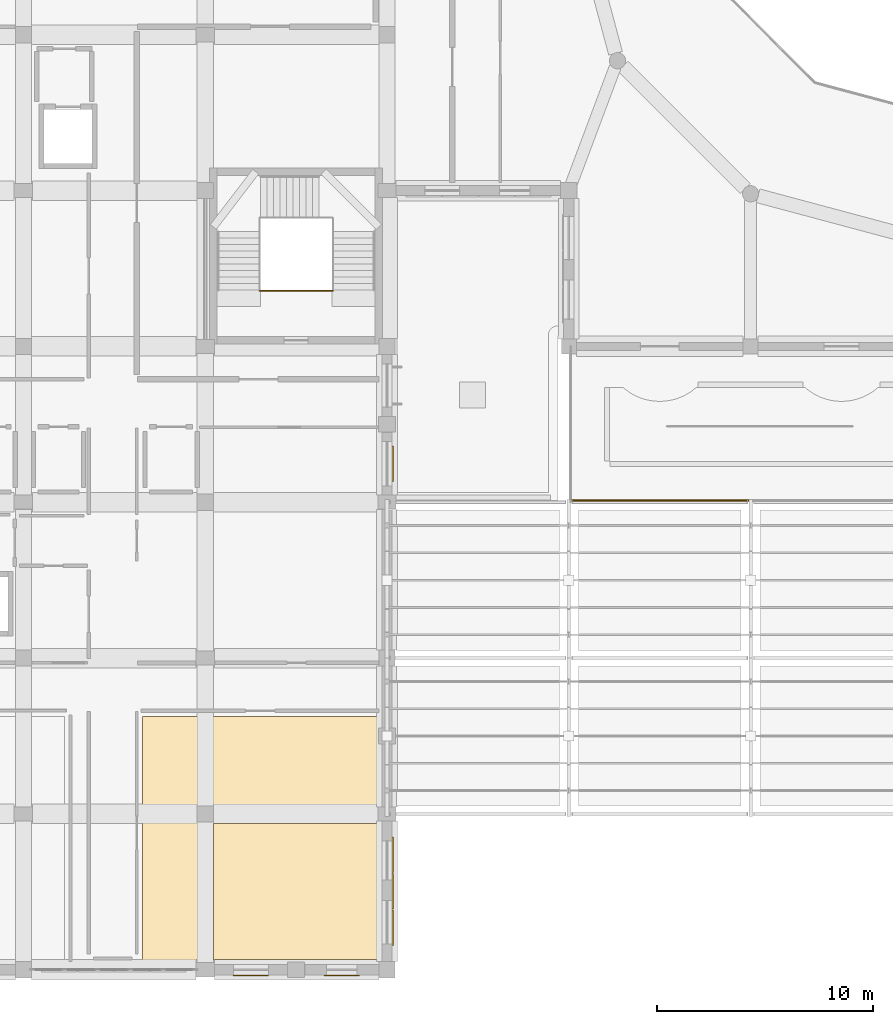
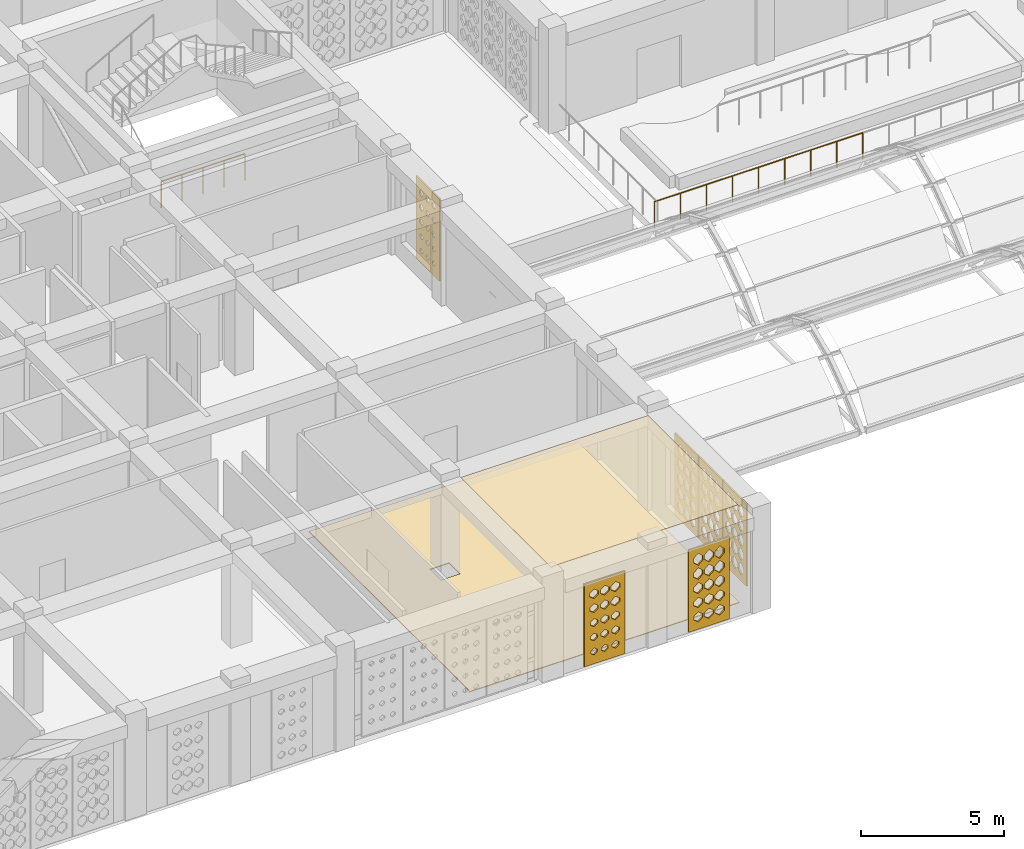
# One storey, part 71 of 100: 8 coverings, 2 railings.
"""IFC4 building model written with IfcOpenShell, lengths in metres."""

from ifc_helpers import new_model, si_unit, derived_unit, direction, frame, origin, origin_2d, place, context, subcontext, project, spatial, polyline, circle, outline, extrude, material, layer, layer_set, type_object, element, save


model = new_model("IFC4")

# Units and contexts
model_context = context("Model", 3, precision=1e-05, world=origin(), true_north=direction((0.0, 1.0)))
body_context = subcontext(model_context, "Body", "Model", "MODEL_VIEW")
ifc_project = project(units=[si_unit("LENGTHUNIT", "METRE"), si_unit("AREAUNIT", "SQUARE_METRE"), si_unit("VOLUMEUNIT", "CUBIC_METRE"), si_unit("PLANEANGLEUNIT", "RADIAN"), si_unit("MASSUNIT", "GRAM", prefix="KILO"), derived_unit("THERMALTRANSMITTANCEUNIT", [(si_unit("POWERUNIT", "WATT"), 1), (si_unit("LENGTHUNIT", "METRE"), -2), (si_unit("THERMODYNAMICTEMPERATUREUNIT", "KELVIN"), -1)])], contexts=[model_context])

# Site, building, storey
site_placement = place(None, origin())
site = spatial("IfcSite", under=ifc_project, at=site_placement, CompositionType="ELEMENT")
building_placement = place(site_placement, origin())
building = spatial("IfcBuilding", under=site, at=building_placement, Name="Veybourne Emporium", CompositionType="ELEMENT")
storey_placement = place(building_placement, frame((0.0, 0.0, 14.39990234375)))
storey = spatial("IfcBuildingStorey", under=building, at=storey_placement, Name="L03", CompositionType="ELEMENT", Elevation=14.39990234375)

# Coverings
ifc_material_1 = material(Name="Mineral Acoustic Ceiling", Category="gypsum")
ifc_layer_1 = layer(ifc_material_1, 0.02490234375)
ifc_layer_set_1 = layer_set([ifc_layer_1], Name="Mineral Acoustic Ceiling")
covering_type_1 = type_object("IfcCoveringType", Name="Ceiling_CLG-01", PredefinedType="CEILING", material=ifc_layer_set_1)
covering_1_placement = place(storey_placement, frame((0.0, 0.0, 4.155029296875)))
element("IfcCovering", 1, at=covering_1_placement, inside=storey, type_object=covering_type_1, Name="L03 coffered acoustic ceiling 02", PredefinedType="CEILING", context=body_context, shape_type="SweptSolid", body=[
    extrude(outline(polyline([(42.373046875, 0.43994140625), (42.373046875, 6.820068359375), (42.375, 6.820068359375), (42.375, 6.751953125), (49.927001953125, 6.751953125), (49.927001953125, 0.472900390625), (42.425048828125, 0.472900390625), (42.425048828125, 0.43994140625), (42.373046875, 0.43994140625)])), origin(), (0.0, 0.0, 1.0), 0.025146484375),
])
ifc_material_2 = material(Name="European Oak Parquet", Category="wood")
ifc_layer_2 = layer(ifc_material_2, 0.034912109375)
ifc_layer_set_2 = layer_set([ifc_layer_2], Name="European Oak Parquet")
covering_type_2 = type_object("IfcCoveringType", Name="Flooring_FLR-02", PredefinedType="FLOORING", material=ifc_layer_set_2)
covering_2_placement = place(storey_placement, origin())
element("IfcCovering", 2, at=covering_2_placement, inside=storey, type_object=covering_type_2, Name="L03 floor finish 02", PredefinedType="FLOORING", context=body_context, shape_type="SweptSolid", body=[
    extrude(outline(polyline([(39.07861328125, 0.453369140625), (39.086181640625, 0.471435546875), (39.09130859375, 0.486083984375), (39.09716796875, 0.5048828125), (39.100830078125, 0.520263671875), (39.104736328125, 0.53955078125), (39.107177734375, 0.554931640625), (39.10888671875, 0.574462890625), (39.10986328125, 0.590087890625), (39.110107421875, 0.60009765625), (39.110107421875, 11.68994140625), (49.9599609375, 11.68994140625), (49.9599609375, 0.43994140625), (39.072265625, 0.43994140625), (39.07861328125, 0.453369140625)]), holes=[polyline([(42.3798828125, 7.580078125), (41.6201171875, 7.580078125), (41.6201171875, 6.820068359375), (42.3798828125, 6.820068359375), (42.3798828125, 7.580078125)])]), origin(), (0.0, 0.0, 1.0), 0.03515625),
])

# Railings
ifc_material_3 = material(Name="Brushed Stainless Steel", Category="steel")
railing_type_1 = type_object("IfcRailingType", Name="Guard_GR-01", PredefinedType="GUARDRAIL", material=ifc_material_3)
railing_1_placement = place(storey_placement, frame((44.510009765625, 31.360107421875, 0.0)))
element("IfcRailing", 3, at=railing_1_placement, inside=storey, type_object=railing_type_1, Name="L03 ST-05 stair guard 4", PredefinedType="GUARDRAIL", context=body_context, shape_type="SweptSolid", body=[
    extrude(circle(Radius=0.02392578125, at=origin_2d()), frame((0.0, 0.0, 1.1259765625), z_axis=(1.0, 0.0, 0.0), x_axis=(0.0, 1.0, 0.0)), (0.0, 0.0, 1.0), 3.3798828125),
    extrude(circle(Radius=0.02099609375, at=origin_2d()), origin(), (0.0, 0.0, 1.0), 1.101806640625),
    extrude(circle(Radius=0.02099609375, at=origin_2d()), frame((0.844970703125, 0.0, 0.0)), (0.0, 0.0, 1.0), 1.101806640625),
    extrude(circle(Radius=0.02099609375, at=origin_2d()), frame((1.68994140625, 0.0, 0.0)), (0.0, 0.0, 1.0), 1.101806640625),
    extrude(circle(Radius=0.02099609375, at=origin_2d()), frame((2.534912109375, 0.0, 0.0)), (0.0, 0.0, 1.0), 1.101806640625),
    extrude(circle(Radius=0.02099609375, at=origin_2d()), frame((3.3798828125, 0.0, 0.0)), (0.0, 0.0, 1.0), 1.101806640625),
])
ifc_material_4 = material(Name="Patinated Architectural Bronze", Category="bronze")
railing_type_2 = type_object("IfcRailingType", Name="Guard_GR-02", PredefinedType="GUARDRAIL", material=ifc_material_4)
railing_2_placement = place(storey_placement, frame((67.199951171875, 21.679931640625, 0.0)))
element("IfcRailing", 4, at=railing_2_placement, inside=storey, type_object=railing_type_2, Name="L03 terrace perimeter guardrail 001", PredefinedType="GUARDRAIL", context=body_context, shape_type="SweptSolid", body=[
    extrude(circle(Radius=0.02392578125, at=origin_2d()), frame((0.0, 0.0, 1.1259765625), z_axis=(-1.0, 0.0, 0.0), x_axis=(0.0, -1.0, 0.0)), (0.0, 0.0, 1.0), 8.39990234375),
    extrude(circle(Radius=0.02099609375, at=origin_2d()), origin(), (0.0, 0.0, 1.0), 1.101806640625),
    extrude(circle(Radius=0.02099609375, at=origin_2d()), frame((-1.050048828125, 0.0, 0.0)), (0.0, 0.0, 1.0), 1.101806640625),
    extrude(circle(Radius=0.02099609375, at=origin_2d()), frame((-2.10009765625, 0.0, 0.0)), (0.0, 0.0, 1.0), 1.101806640625),
    extrude(circle(Radius=0.02099609375, at=origin_2d()), frame((-3.14990234375, 0.0, 0.0)), (0.0, 0.0, 1.0), 1.101806640625),
    extrude(circle(Radius=0.02099609375, at=origin_2d()), frame((-4.199951171875, 0.0, 0.0)), (0.0, 0.0, 1.0), 1.101806640625),
    extrude(circle(Radius=0.02099609375, at=origin_2d()), frame((-5.25, 0.0, 0.0)), (0.0, 0.0, 1.0), 1.101806640625),
    extrude(circle(Radius=0.02099609375, at=origin_2d()), frame((-6.2998046875, 0.0, 0.0)), (0.0, 0.0, 1.0), 1.101806640625),
    extrude(circle(Radius=0.02099609375, at=origin_2d()), frame((-7.349853515625, 0.0, 0.0)), (0.0, 0.0, 1.0), 1.101806640625),
    extrude(circle(Radius=0.02099609375, at=origin_2d()), frame((-8.39990234375, 0.0, 0.0)), (0.0, 0.0, 1.0), 1.101806640625),
])

# Coverings
ifc_material_5 = material(Name="Warm-White Perforated Aluminium Screen Alloy", Category="aluminium")
ifc_layer_3 = layer(ifc_material_5, 0.06005859375)
ifc_layer_set_3 = layer_set([ifc_layer_3], Name="Warm-White Perforated Aluminium Screen Alloy")
covering_type_3 = type_object("IfcCoveringType", Name="WaveScreen_SCR-01", PredefinedType="CLADDING", material=ifc_layer_set_3)
covering_3_placement = place(storey_placement, frame((50.697998046875, 1.945068359375, 1.815185546875), z_axis=(-1.0, 0.0, 0.0), x_axis=(0.0, -1.0, 0.0)))
element("IfcCovering", 5, at=covering_3_placement, inside=storey, type_object=covering_type_3, Name="L03 wave-perforated aluminium screen SCR-01 (26.3)", PredefinedType="CLADDING", context=body_context, shape_type="SweptSolid", body=[
    extrude(outline(polyline([(-0.81982421875, -1.7548828125), (0.81982421875, -1.7548828125), (0.81982421875, 1.7548828125), (-0.81982421875, 1.7548828125), (-0.81982421875, -1.7548828125)]), holes=[polyline([(-0.433349609375, -0.964111328125), (-0.2470703125, -1.133056640625), (-0.2470703125, -1.322998046875), (-0.433349609375, -1.491943359375), (-0.61962890625, -1.322998046875), (-0.61962890625, -1.133056640625), (-0.433349609375, -0.964111328125)]), polyline([(-0.433349609375, -0.35009765625), (-0.2470703125, -0.51904296875), (-0.2470703125, -0.708984375), (-0.433349609375, -0.8779296875), (-0.61962890625, -0.708984375), (-0.61962890625, -0.51904296875), (-0.433349609375, -0.35009765625)]), polyline([(-0.433349609375, 0.263916015625), (-0.2470703125, 0.094970703125), (-0.2470703125, -0.094970703125), (-0.433349609375, -0.263916015625), (-0.61962890625, -0.094970703125), (-0.61962890625, 0.094970703125), (-0.433349609375, 0.263916015625)]), polyline([(-0.433349609375, 0.8779296875), (-0.2470703125, 0.708984375), (-0.2470703125, 0.51904296875), (-0.433349609375, 0.35009765625), (-0.61962890625, 0.51904296875), (-0.61962890625, 0.708984375), (-0.433349609375, 0.8779296875)]), polyline([(-0.433349609375, 1.491943359375), (-0.2470703125, 1.322998046875), (-0.2470703125, 1.133056640625), (-0.433349609375, 0.964111328125), (-0.61962890625, 1.133056640625), (-0.61962890625, 1.322998046875), (-0.433349609375, 1.491943359375)]), polyline([(0.0, -0.964111328125), (0.186279296875, -1.133056640625), (0.186279296875, -1.322998046875), (0.0, -1.491943359375), (-0.186279296875, -1.322998046875), (-0.186279296875, -1.133056640625), (0.0, -0.964111328125)]), polyline([(0.0, -0.35009765625), (0.186279296875, -0.51904296875), (0.186279296875, -0.708984375), (0.0, -0.8779296875), (-0.186279296875, -0.708984375), (-0.186279296875, -0.51904296875), (0.0, -0.35009765625)]), polyline([(0.0, 0.263916015625), (0.186279296875, 0.094970703125), (0.186279296875, -0.094970703125), (0.0, -0.263916015625), (-0.186279296875, -0.094970703125), (-0.186279296875, 0.094970703125), (0.0, 0.263916015625)]), polyline([(0.0, 0.8779296875), (0.186279296875, 0.708984375), (0.186279296875, 0.51904296875), (0.0, 0.35009765625), (-0.186279296875, 0.51904296875), (-0.186279296875, 0.708984375), (0.0, 0.8779296875)]), polyline([(0.0, 1.491943359375), (0.186279296875, 1.322998046875), (0.186279296875, 1.133056640625), (0.0, 0.964111328125), (-0.186279296875, 1.133056640625), (-0.186279296875, 1.322998046875), (0.0, 1.491943359375)]), polyline([(0.433349609375, -0.965087890625), (0.61962890625, -1.13330078125), (0.61962890625, -1.322509765625), (0.433349609375, -1.490966796875), (0.2470703125, -1.322509765625), (0.2470703125, -1.13330078125), (0.433349609375, -0.965087890625)]), polyline([(0.433349609375, -0.35009765625), (0.61962890625, -0.51904296875), (0.61962890625, -0.708984375), (0.433349609375, -0.8779296875), (0.2470703125, -0.708984375), (0.2470703125, -0.51904296875), (0.433349609375, -0.35009765625)]), polyline([(0.433349609375, 0.263916015625), (0.61962890625, 0.094970703125), (0.61962890625, -0.094970703125), (0.433349609375, -0.263916015625), (0.2470703125, -0.094970703125), (0.2470703125, 0.094970703125), (0.433349609375, 0.263916015625)]), polyline([(0.433349609375, 0.8779296875), (0.61962890625, 0.708984375), (0.61962890625, 0.51904296875), (0.433349609375, 0.35009765625), (0.2470703125, 0.51904296875), (0.2470703125, 0.708984375), (0.433349609375, 0.8779296875)]), polyline([(0.433349609375, 1.491943359375), (0.61962890625, 1.322998046875), (0.61962890625, 1.133056640625), (0.433349609375, 0.964111328125), (0.2470703125, 1.133056640625), (0.2470703125, 1.322998046875), (0.433349609375, 1.491943359375)])]), origin(), (0.0, 0.0, 1.0), 0.06005859375),
])
ifc_layer_4 = layer(ifc_material_5, 0.06005859375)
ifc_layer_set_4 = layer_set([ifc_layer_4], Name="Warm-White Perforated Aluminium Screen Alloy")
covering_type_4 = type_object("IfcCoveringType", Name="WaveScreen_SCR-02", PredefinedType="CLADDING", material=ifc_layer_set_4)
covering_4_placement = place(storey_placement, frame((48.3125, -0.298095703125, 1.815185546875), z_axis=(0.0, 1.0, 0.0), x_axis=(-1.0, 0.0, 0.0)))
element("IfcCovering", 6, at=covering_4_placement, inside=storey, type_object=covering_type_4, Name="L03 wave-perforated aluminium screen SCR-02 (25A.1)", PredefinedType="CLADDING", context=body_context, shape_type="SweptSolid", body=[
    extrude(outline(polyline([(-0.81982421875, -1.7548828125), (0.81982421875, -1.7548828125), (0.81982421875, 1.7548828125), (-0.81982421875, 1.7548828125), (-0.81982421875, -1.7548828125)]), holes=[polyline([(-0.433349609375, -1.006591796875), (-0.2470703125, -1.148193359375), (-0.2470703125, -1.3076171875), (-0.433349609375, -1.44921875), (-0.61962890625, -1.3076171875), (-0.61962890625, -1.148193359375), (-0.433349609375, -1.006591796875)]), polyline([(-0.433349609375, -0.3798828125), (-0.2470703125, -0.52978515625), (-0.2470703125, -0.6982421875), (-0.433349609375, -0.84814453125), (-0.61962890625, -0.6982421875), (-0.61962890625, -0.52978515625), (-0.433349609375, -0.3798828125)]), polyline([(-0.433349609375, 0.24560546875), (-0.2470703125, 0.08837890625), (-0.2470703125, -0.08837890625), (-0.433349609375, -0.24560546875), (-0.61962890625, -0.08837890625), (-0.61962890625, 0.08837890625), (-0.433349609375, 0.24560546875)]), polyline([(-0.433349609375, 0.86962890625), (-0.2470703125, 0.7060546875), (-0.2470703125, 0.52197265625), (-0.433349609375, 0.3583984375), (-0.61962890625, 0.52197265625), (-0.61962890625, 0.7060546875), (-0.433349609375, 0.86962890625)]), polyline([(-0.433349609375, 1.49169921875), (-0.2470703125, 1.322998046875), (-0.2470703125, 1.133056640625), (-0.433349609375, 0.964111328125), (-0.61962890625, 1.133056640625), (-0.61962890625, 1.322998046875), (-0.433349609375, 1.49169921875)]), polyline([(0.0, -1.012939453125), (0.18603515625, -1.150390625), (0.18603515625, -1.305419921875), (0.0, -1.443115234375), (-0.18603515625, -1.305419921875), (-0.18603515625, -1.150390625), (0.0, -1.012939453125)]), polyline([(0.0, -0.385498046875), (0.186279296875, -0.53173828125), (0.186279296875, -0.6962890625), (0.0, -0.84228515625), (-0.186279296875, -0.6962890625), (-0.186279296875, -0.53173828125), (0.0, -0.385498046875)]), polyline([(0.0, 0.240478515625), (0.186279296875, 0.086669921875), (0.186279296875, -0.086669921875), (0.0, -0.240478515625), (-0.186279296875, -0.086669921875), (-0.186279296875, 0.086669921875), (0.0, 0.240478515625)]), polyline([(0.0, 0.865234375), (0.186279296875, 0.70458984375), (0.186279296875, 0.5234375), (0.0, 0.36279296875), (-0.186279296875, 0.5234375), (-0.186279296875, 0.70458984375), (0.0, 0.865234375)]), polyline([(0.0, 1.48828125), (0.186279296875, 1.32177734375), (0.186279296875, 1.13427734375), (0.0, 0.967529296875), (-0.186279296875, 1.13427734375), (-0.186279296875, 1.32177734375), (0.0, 1.48828125)]), polyline([(0.433349609375, -1.01904296875), (0.6142578125, -1.15283203125), (0.6142578125, -1.30322265625), (0.433349609375, -1.43701171875), (0.25244140625, -1.30322265625), (0.25244140625, -1.15283203125), (0.433349609375, -1.01904296875)]), polyline([(0.433349609375, -0.3916015625), (0.61962890625, -0.533935546875), (0.61962890625, -0.694091796875), (0.433349609375, -0.83642578125), (0.2470703125, -0.694091796875), (0.2470703125, -0.533935546875), (0.433349609375, -0.3916015625)]), polyline([(0.433349609375, 0.235107421875), (0.61962890625, 0.084716796875), (0.61962890625, -0.084716796875), (0.433349609375, -0.235107421875), (0.2470703125, -0.084716796875), (0.2470703125, 0.084716796875), (0.433349609375, 0.235107421875)]), polyline([(0.433349609375, 0.860595703125), (0.61962890625, 0.702880859375), (0.61962890625, 0.525146484375), (0.433349609375, 0.367431640625), (0.2470703125, 0.525146484375), (0.2470703125, 0.702880859375), (0.433349609375, 0.860595703125)]), polyline([(0.433349609375, 1.484619140625), (0.61962890625, 1.3203125), (0.61962890625, 1.1357421875), (0.433349609375, 0.971435546875), (0.2470703125, 1.1357421875), (0.2470703125, 1.3203125), (0.433349609375, 1.484619140625)])]), origin(), (0.0, 0.0, 1.0), 0.06005859375),
])
covering_5_placement = place(storey_placement, frame((44.112548828125, -0.298095703125, 1.815185546875), z_axis=(0.0, 1.0, 0.0), x_axis=(-1.0, 0.0, 0.0)))
element("IfcCovering", 7, at=covering_5_placement, inside=storey, type_object=covering_type_4, Name="L03 wave-perforated aluminium screen SCR-02 (25B.1)", PredefinedType="CLADDING", context=body_context, shape_type="SweptSolid", body=[
    extrude(outline(polyline([(-0.81982421875, -1.7548828125), (0.81982421875, -1.7548828125), (0.81982421875, 1.7548828125), (-0.81982421875, 1.7548828125), (-0.81982421875, -1.7548828125)]), holes=[polyline([(-0.433349609375, -1.067626953125), (-0.2919921875, -1.17041015625), (-0.2919921875, -1.28564453125), (-0.433349609375, -1.388427734375), (-0.574462890625, -1.28564453125), (-0.574462890625, -1.17041015625), (-0.433349609375, -1.067626953125)]), polyline([(-0.433349609375, -0.440185546875), (-0.281005859375, -0.551513671875), (-0.281005859375, -0.676513671875), (-0.433349609375, -0.787841796875), (-0.585693359375, -0.676513671875), (-0.585693359375, -0.551513671875), (-0.433349609375, -0.440185546875)]), polyline([(-0.433349609375, 0.18798828125), (-0.26953125, 0.067626953125), (-0.26953125, -0.067626953125), (-0.433349609375, -0.18798828125), (-0.596923828125, -0.067626953125), (-0.596923828125, 0.067626953125), (-0.433349609375, 0.18798828125)]), polyline([(-0.433349609375, 0.81591796875), (-0.258056640625, 0.686767578125), (-0.258056640625, 0.541259765625), (-0.433349609375, 0.412109375), (-0.608642578125, 0.541259765625), (-0.608642578125, 0.686767578125), (-0.433349609375, 0.81591796875)]), polyline([(-0.433349609375, 1.44384765625), (-0.2470703125, 1.3056640625), (-0.2470703125, 1.150390625), (-0.433349609375, 1.01220703125), (-0.61962890625, 1.150390625), (-0.61962890625, 1.3056640625), (-0.433349609375, 1.44384765625)]), polyline([(0.0, -1.073486328125), (0.136474609375, -1.17236328125), (0.136474609375, -1.28369140625), (0.0, -1.382568359375), (-0.136474609375, -1.28369140625), (-0.136474609375, -1.17236328125), (0.0, -1.073486328125)]), polyline([(0.0, -0.4462890625), (0.147216796875, -0.5537109375), (0.147216796875, -0.67431640625), (0.0, -0.781494140625), (-0.147216796875, -0.67431640625), (-0.147216796875, -0.5537109375), (0.0, -0.4462890625)]), polyline([(0.0, 0.181396484375), (0.158447265625, 0.065185546875), (0.158447265625, -0.065185546875), (0.0, -0.181396484375), (-0.158447265625, -0.065185546875), (-0.158447265625, 0.065185546875), (0.0, 0.181396484375)]), polyline([(0.0, 0.8095703125), (0.169921875, 0.684326171875), (0.169921875, 0.543701171875), (0.0, 0.41845703125), (-0.169921875, 0.543701171875), (-0.169921875, 0.684326171875), (0.0, 0.8095703125)]), polyline([(0.0, 1.437744140625), (0.181396484375, 1.303466796875), (0.181396484375, 1.152587890625), (0.0, 1.018310546875), (-0.181396484375, 1.152587890625), (-0.181396484375, 1.303466796875), (0.0, 1.437744140625)]), polyline([(0.433349609375, -1.0791015625), (0.565185546875, -1.17431640625), (0.565185546875, -1.281494140625), (0.433349609375, -1.376953125), (0.301513671875, -1.281494140625), (0.301513671875, -1.17431640625), (0.433349609375, -1.0791015625)]), polyline([(0.433349609375, -0.452392578125), (0.575439453125, -0.555908203125), (0.575439453125, -0.672119140625), (0.433349609375, -0.775634765625), (0.291015625, -0.672119140625), (0.291015625, -0.555908203125), (0.433349609375, -0.452392578125)]), polyline([(0.433349609375, 0.175048828125), (0.586669921875, 0.06298828125), (0.586669921875, -0.06298828125), (0.433349609375, -0.175048828125), (0.280029296875, -0.06298828125), (0.280029296875, 0.06298828125), (0.433349609375, 0.175048828125)]), polyline([(0.433349609375, 0.80322265625), (0.59814453125, 0.68212890625), (0.59814453125, 0.5458984375), (0.433349609375, 0.4248046875), (0.2685546875, 0.5458984375), (0.2685546875, 0.68212890625), (0.433349609375, 0.80322265625)]), polyline([(0.433349609375, 1.431396484375), (0.609619140625, 1.30126953125), (0.609619140625, 1.15478515625), (0.433349609375, 1.024658203125), (0.257080078125, 1.15478515625), (0.257080078125, 1.30126953125), (0.433349609375, 1.431396484375)])]), origin(), (0.0, 0.0, 1.0), 0.06005859375),
])
covering_6_placement = place(storey_placement, frame((50.697998046875, 23.37744140625, 1.815185546875), z_axis=(-1.0, 0.0, 0.0), x_axis=(0.0, -1.0, 0.0)))
element("IfcCovering", 8, at=covering_6_placement, inside=storey, type_object=covering_type_4, Name="L03 wave-perforated aluminium screen SCR-02 (29B.1)", PredefinedType="CLADDING", context=body_context, shape_type="SweptSolid", body=[
    extrude(outline(polyline([(-0.81982421875, -1.7548828125), (0.81982421875, -1.7548828125), (0.81982421875, 1.7548828125), (-0.81982421875, 1.7548828125), (-0.81982421875, -1.7548828125)]), holes=[polyline([(-0.433349609375, -1.11376953125), (-0.329833984375, -1.18701171875), (-0.329833984375, -1.26904296875), (-0.433349609375, -1.34228515625), (-0.536865234375, -1.26904296875), (-0.536865234375, -1.18701171875), (-0.433349609375, -1.11376953125)]), polyline([(-0.433349609375, -0.494140625), (-0.3251953125, -0.57080078125), (-0.3251953125, -0.6572265625), (-0.433349609375, -0.73388671875), (-0.54150390625, -0.6572265625), (-0.54150390625, -0.57080078125), (-0.433349609375, -0.494140625)]), polyline([(-0.433349609375, 0.127685546875), (-0.31884765625, 0.0458984375), (-0.31884765625, -0.0458984375), (-0.433349609375, -0.127685546875), (-0.5478515625, -0.0458984375), (-0.5478515625, 0.0458984375), (-0.433349609375, 0.127685546875)]), polyline([(-0.433349609375, 0.75146484375), (-0.310791015625, 0.66357421875), (-0.310791015625, 0.564453125), (-0.433349609375, 0.4765625), (-0.555908203125, 0.564453125), (-0.555908203125, 0.66357421875), (-0.433349609375, 0.75146484375)]), polyline([(-0.433349609375, 1.376708984375), (-0.301513671875, 1.281494140625), (-0.301513671875, 1.174560546875), (-0.433349609375, 1.079345703125), (-0.56494140625, 1.174560546875), (-0.56494140625, 1.281494140625), (-0.433349609375, 1.376708984375)]), polyline([(0.0, -1.115478515625), (0.10205078125, -1.1875), (0.10205078125, -1.2685546875), (0.0, -1.340576171875), (-0.10205078125, -1.2685546875), (-0.10205078125, -1.1875), (0.0, -1.115478515625)]), polyline([(0.0, -0.496826171875), (0.105712890625, -0.57177734375), (0.105712890625, -0.65625), (0.0, -0.731201171875), (-0.105712890625, -0.65625), (-0.105712890625, -0.57177734375), (0.0, -0.496826171875)]), polyline([(0.0, 0.123779296875), (0.111328125, 0.044677734375), (0.111328125, -0.044677734375), (0.0, -0.123779296875), (-0.111328125, -0.044677734375), (-0.111328125, 0.044677734375), (0.0, 0.123779296875)]), polyline([(0.0, 0.746826171875), (0.11865234375, 0.661865234375), (0.11865234375, 0.566162109375), (0.0, 0.481201171875), (-0.11865234375, 0.566162109375), (-0.11865234375, 0.661865234375), (0.0, 0.746826171875)]), polyline([(0.0, 1.371337890625), (0.127197265625, 1.279541015625), (0.127197265625, 1.176513671875), (0.0, 1.084716796875), (-0.127197265625, 1.176513671875), (-0.127197265625, 1.279541015625), (0.0, 1.371337890625)]), polyline([(0.433349609375, -1.11669921875), (0.5341796875, -1.18798828125), (0.5341796875, -1.26806640625), (0.433349609375, -1.339111328125), (0.33251953125, -1.26806640625), (0.33251953125, -1.18798828125), (0.433349609375, -1.11669921875)]), polyline([(0.433349609375, -0.499267578125), (0.537109375, -0.57275390625), (0.537109375, -0.6552734375), (0.433349609375, -0.728759765625), (0.32958984375, -0.6552734375), (0.32958984375, -0.57275390625), (0.433349609375, -0.499267578125)]), polyline([(0.433349609375, 0.12060546875), (0.5419921875, 0.04345703125), (0.5419921875, -0.04345703125), (0.433349609375, -0.12060546875), (0.32470703125, -0.04345703125), (0.32470703125, 0.04345703125), (0.433349609375, 0.12060546875)]), polyline([(0.433349609375, 0.742431640625), (0.548583984375, 0.660400390625), (0.548583984375, 0.567626953125), (0.433349609375, 0.485595703125), (0.318115234375, 0.567626953125), (0.318115234375, 0.660400390625), (0.433349609375, 0.742431640625)]), polyline([(0.433349609375, 1.366455078125), (0.556640625, 1.27783203125), (0.556640625, 1.17822265625), (0.433349609375, 1.089599609375), (0.31005859375, 1.17822265625), (0.31005859375, 1.27783203125), (0.433349609375, 1.366455078125)])]), origin(), (0.0, 0.0, 1.0), 0.06005859375),
])
ifc_layer_5 = layer(ifc_material_5, 0.06005859375)
ifc_layer_set_5 = layer_set([ifc_layer_5], Name="Warm-White Perforated Aluminium Screen Alloy")
covering_type_5 = type_object("IfcCoveringType", Name="WaveScreen_SCR-03", PredefinedType="CLADDING", material=ifc_layer_set_5)
covering_7_placement = place(storey_placement, frame((50.697998046875, 5.304931640625, 1.815185546875), z_axis=(-1.0, 0.0, 0.0), x_axis=(0.0, -1.0, 0.0)))
element("IfcCovering", 9, at=covering_7_placement, inside=storey, type_object=covering_type_5, Name="L03 wave-perforated aluminium screen SCR-03 (26.1)", PredefinedType="CLADDING", context=body_context, shape_type="SweptSolid", body=[
    extrude(outline(polyline([(-0.81982421875, -1.7548828125), (0.81982421875, -1.7548828125), (0.81982421875, 1.7548828125), (-0.81982421875, 1.7548828125), (-0.81982421875, -1.7548828125)]), holes=[polyline([(-0.433349609375, -0.964111328125), (-0.2470703125, -1.133056640625), (-0.2470703125, -1.322998046875), (-0.433349609375, -1.491943359375), (-0.61962890625, -1.322998046875), (-0.61962890625, -1.133056640625), (-0.433349609375, -0.964111328125)]), polyline([(-0.433349609375, -0.35009765625), (-0.2470703125, -0.51904296875), (-0.2470703125, -0.708984375), (-0.433349609375, -0.8779296875), (-0.61962890625, -0.708984375), (-0.61962890625, -0.51904296875), (-0.433349609375, -0.35009765625)]), polyline([(-0.433349609375, 0.2626953125), (-0.2470703125, 0.094482421875), (-0.2470703125, -0.094482421875), (-0.433349609375, -0.2626953125), (-0.61962890625, -0.094482421875), (-0.61962890625, 0.094482421875), (-0.433349609375, 0.2626953125)]), polyline([(-0.433349609375, 0.8681640625), (-0.2470703125, 0.70556640625), (-0.2470703125, 0.5224609375), (-0.433349609375, 0.35986328125), (-0.61962890625, 0.5224609375), (-0.61962890625, 0.70556640625), (-0.433349609375, 0.8681640625)]), polyline([(-0.433349609375, 1.4716796875), (-0.2470703125, 1.31591796875), (-0.2470703125, 1.14013671875), (-0.433349609375, 0.984130859375), (-0.61962890625, 1.14013671875), (-0.61962890625, 1.31591796875), (-0.433349609375, 1.4716796875)]), polyline([(0.0, -0.964111328125), (0.186279296875, -1.133056640625), (0.186279296875, -1.322998046875), (0.0, -1.491943359375), (-0.186279296875, -1.322998046875), (-0.186279296875, -1.133056640625), (0.0, -0.964111328125)]), polyline([(0.0, -0.35009765625), (0.186279296875, -0.51904296875), (0.186279296875, -0.708984375), (0.0, -0.8779296875), (-0.186279296875, -0.708984375), (-0.186279296875, -0.51904296875), (0.0, -0.35009765625)]), polyline([(0.0, 0.263916015625), (0.186279296875, 0.094970703125), (0.186279296875, -0.094970703125), (0.0, -0.263916015625), (-0.186279296875, -0.094970703125), (-0.186279296875, 0.094970703125), (0.0, 0.263916015625)]), polyline([(0.0, 0.872314453125), (0.186279296875, 0.706787109375), (0.186279296875, 0.52099609375), (0.0, 0.355712890625), (-0.186279296875, 0.52099609375), (-0.186279296875, 0.706787109375), (0.0, 0.872314453125)]), polyline([(0.0, 1.476806640625), (0.186279296875, 1.3173828125), (0.186279296875, 1.138427734375), (0.0, 0.979248046875), (-0.186279296875, 1.138427734375), (-0.186279296875, 1.3173828125), (0.0, 1.476806640625)]), polyline([(0.433349609375, -0.964111328125), (0.61962890625, -1.133056640625), (0.61962890625, -1.322998046875), (0.433349609375, -1.491943359375), (0.2470703125, -1.322998046875), (0.2470703125, -1.133056640625), (0.433349609375, -0.964111328125)]), polyline([(0.433349609375, -0.35009765625), (0.61962890625, -0.51904296875), (0.61962890625, -0.708984375), (0.433349609375, -0.8779296875), (0.2470703125, -0.708984375), (0.2470703125, -0.51904296875), (0.433349609375, -0.35009765625)]), polyline([(0.433349609375, 0.263916015625), (0.61962890625, 0.094970703125), (0.61962890625, -0.094970703125), (0.433349609375, -0.263916015625), (0.2470703125, -0.094970703125), (0.2470703125, 0.094970703125), (0.433349609375, 0.263916015625)]), polyline([(0.433349609375, 0.8759765625), (0.61962890625, 0.708251953125), (0.61962890625, 0.519775390625), (0.433349609375, 0.35205078125), (0.2470703125, 0.519775390625), (0.2470703125, 0.708251953125), (0.433349609375, 0.8759765625)]), polyline([(0.433349609375, 1.481201171875), (0.61962890625, 1.319091796875), (0.61962890625, 1.13671875), (0.433349609375, 0.974853515625), (0.2470703125, 1.13671875), (0.2470703125, 1.319091796875), (0.433349609375, 1.481201171875)])]), origin(), (0.0, 0.0, 1.0), 0.06005859375),
])
ifc_layer_6 = layer(ifc_material_5, 0.06005859375)
ifc_layer_set_6 = layer_set([ifc_layer_6], Name="Warm-White Perforated Aluminium Screen Alloy")
covering_type_6 = type_object("IfcCoveringType", Name="WaveScreen_SCR-04", PredefinedType="CLADDING", material=ifc_layer_set_6)
covering_8_placement = place(storey_placement, frame((50.697998046875, 3.625, 1.815185546875), z_axis=(-1.0, 0.0, 0.0), x_axis=(0.0, -1.0, 0.0)))
element("IfcCovering", 10, at=covering_8_placement, inside=storey, type_object=covering_type_6, Name="L03 wave-perforated aluminium screen SCR-04 (26.2)", PredefinedType="CLADDING", context=body_context, shape_type="SweptSolid", body=[
    extrude(outline(polyline([(-0.81982421875, -1.7548828125), (0.81982421875, -1.7548828125), (0.81982421875, 1.7548828125), (-0.81982421875, 1.7548828125), (-0.81982421875, -1.7548828125)]), holes=[polyline([(-0.433349609375, -0.964111328125), (-0.2470703125, -1.133056640625), (-0.2470703125, -1.322998046875), (-0.433349609375, -1.491943359375), (-0.61962890625, -1.322998046875), (-0.61962890625, -1.133056640625), (-0.433349609375, -0.964111328125)]), polyline([(-0.433349609375, -0.35009765625), (-0.2470703125, -0.51904296875), (-0.2470703125, -0.708984375), (-0.433349609375, -0.8779296875), (-0.61962890625, -0.708984375), (-0.61962890625, -0.51904296875), (-0.433349609375, -0.35009765625)]), polyline([(-0.433349609375, 0.263916015625), (-0.2470703125, 0.094970703125), (-0.2470703125, -0.094970703125), (-0.433349609375, -0.263916015625), (-0.61962890625, -0.094970703125), (-0.61962890625, 0.094970703125), (-0.433349609375, 0.263916015625)]), polyline([(-0.433349609375, 0.8779296875), (-0.2470703125, 0.708984375), (-0.2470703125, 0.51904296875), (-0.433349609375, 0.35009765625), (-0.61962890625, 0.51904296875), (-0.61962890625, 0.708984375), (-0.433349609375, 0.8779296875)]), polyline([(-0.433349609375, 1.48876953125), (-0.2470703125, 1.322021484375), (-0.2470703125, 1.134033203125), (-0.433349609375, 0.96728515625), (-0.61962890625, 1.134033203125), (-0.61962890625, 1.322021484375), (-0.433349609375, 1.48876953125)]), polyline([(0.0, -0.964111328125), (0.186279296875, -1.133056640625), (0.186279296875, -1.322998046875), (0.0, -1.491943359375), (-0.186279296875, -1.322998046875), (-0.186279296875, -1.133056640625), (0.0, -0.964111328125)]), polyline([(0.0, -0.35009765625), (0.186279296875, -0.51904296875), (0.186279296875, -0.708984375), (0.0, -0.8779296875), (-0.186279296875, -0.708984375), (-0.186279296875, -0.51904296875), (0.0, -0.35009765625)]), polyline([(0.0, 0.263916015625), (0.186279296875, 0.094970703125), (0.186279296875, -0.094970703125), (0.0, -0.263916015625), (-0.186279296875, -0.094970703125), (-0.186279296875, 0.094970703125), (0.0, 0.263916015625)]), polyline([(0.0, 0.8779296875), (0.186279296875, 0.708984375), (0.186279296875, 0.51904296875), (0.0, 0.35009765625), (-0.186279296875, 0.51904296875), (-0.186279296875, 0.708984375), (0.0, 0.8779296875)]), polyline([(0.0, 1.491943359375), (0.186279296875, 1.322998046875), (0.186279296875, 1.133056640625), (0.0, 0.964111328125), (-0.186279296875, 1.133056640625), (-0.186279296875, 1.322998046875), (0.0, 1.491943359375)]), polyline([(0.433349609375, -0.964111328125), (0.61962890625, -1.133056640625), (0.61962890625, -1.322998046875), (0.433349609375, -1.491943359375), (0.2470703125, -1.322998046875), (0.2470703125, -1.133056640625), (0.433349609375, -0.964111328125)]), polyline([(0.433349609375, -0.35009765625), (0.61962890625, -0.51904296875), (0.61962890625, -0.708984375), (0.433349609375, -0.8779296875), (0.2470703125, -0.708984375), (0.2470703125, -0.51904296875), (0.433349609375, -0.35009765625)]), polyline([(0.433349609375, 0.263916015625), (0.61962890625, 0.094970703125), (0.61962890625, -0.094970703125), (0.433349609375, -0.263916015625), (0.2470703125, -0.094970703125), (0.2470703125, 0.094970703125), (0.433349609375, 0.263916015625)]), polyline([(0.433349609375, 0.8779296875), (0.61962890625, 0.708984375), (0.61962890625, 0.51904296875), (0.433349609375, 0.35009765625), (0.2470703125, 0.51904296875), (0.2470703125, 0.708984375), (0.433349609375, 0.8779296875)]), polyline([(0.433349609375, 1.491943359375), (0.61962890625, 1.322998046875), (0.61962890625, 1.133056640625), (0.433349609375, 0.964111328125), (0.2470703125, 1.133056640625), (0.2470703125, 1.322998046875), (0.433349609375, 1.491943359375)])]), origin(), (0.0, 0.0, 1.0), 0.06005859375),
])

save(model, "model.ifc")
